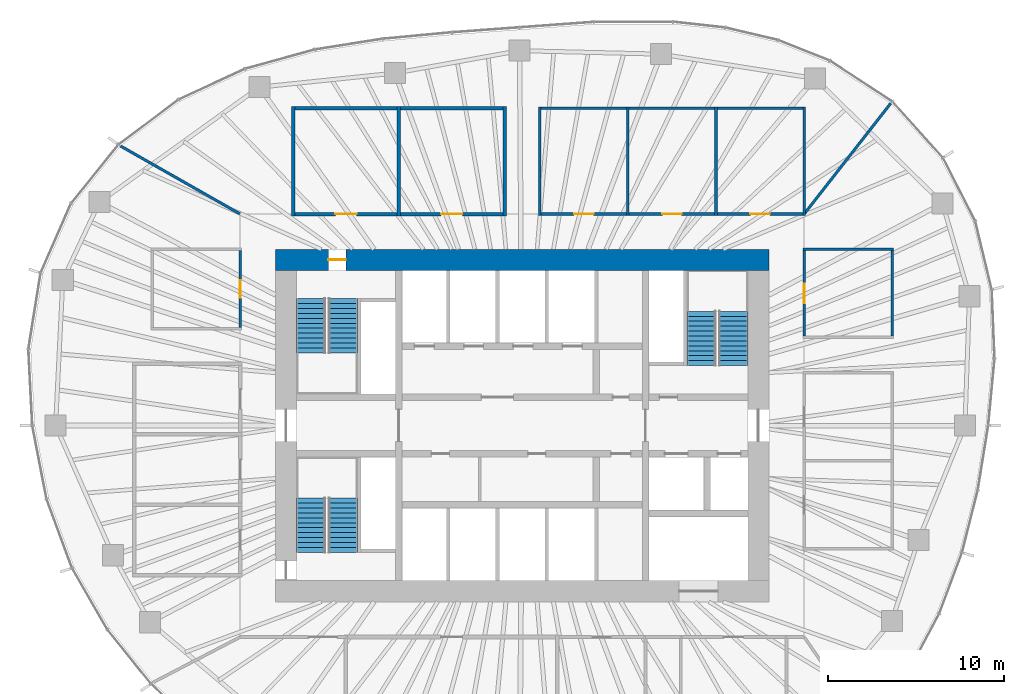
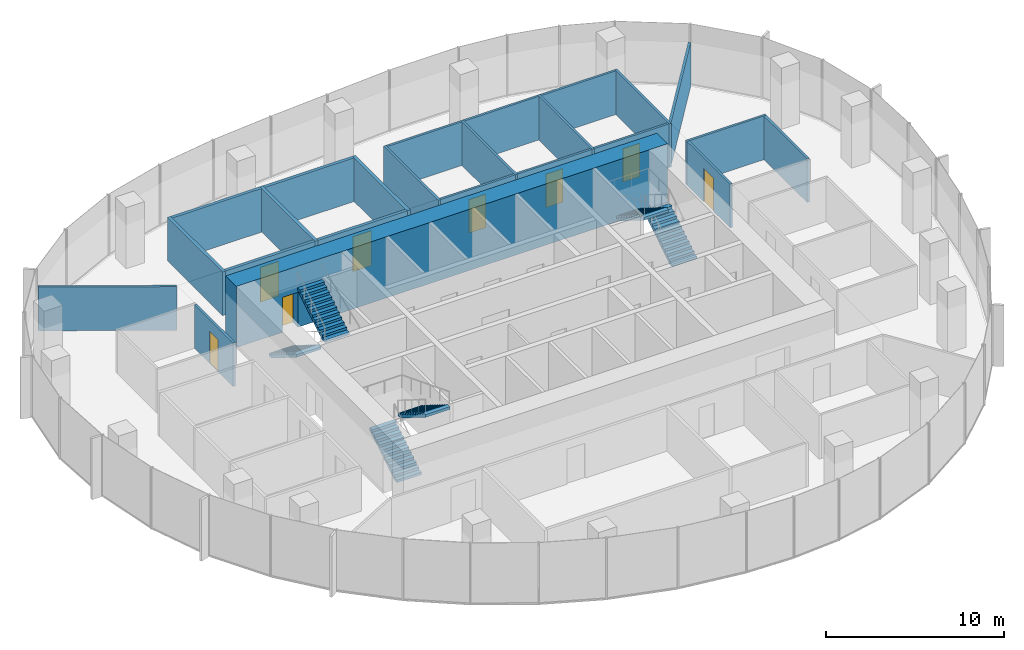
# One storey, part 10 of 11: 24 walls, 8 doors, 6 stair flights, 8 openings, 3 elements without a shape of their own.
"""IFC4 building model written with IfcOpenShell, lengths in metres."""

import ifcopenshell
import ifcopenshell.guid

model = None  # the IFC model being written
_history = None  # IfcOwnerHistory: only IFC2X3 demands one
_inside = {}  # id of a spatial element -> (the spatial element, [elements in it])
_under = {}  # id of a project, library or spatial element -> (it, [spatial elements below it])
_declared = {}  # id of a project -> (the project, [libraries it declares])
_typed = {}  # id of a type object -> (the type object, [elements of that type])
_made_of = {}  # id of a material, layer set ... -> (it, [elements and type objects made of it])


def new_model(schema):
    """Start an empty IFC model of exactly this schema.

    Asked for "IFC4X3", IfcOpenShell would pick the latest addendum, in which some entities
    have other attributes; the version numbers below select the first issue.
    IFC2X3 requires an IfcOwnerHistory on every rooted entity: one is made here for all.
    """
    global model, _history
    if schema == "IFC4X3":
        model = ifcopenshell.file(schema_version=(4, 3, 0, 0))
    else:
        model = ifcopenshell.file(schema=schema)
    _inside.clear()
    _under.clear()
    _declared.clear()
    _typed.clear()
    _made_of.clear()
    _history = None
    if model.schema == "IFC2X3":
        org = make("IfcOrganization", Name="unknown")
        user = make(
            "IfcPersonAndOrganization",
            ThePerson=make("IfcPerson", FamilyName="unknown"),
            TheOrganization=org,
        )
        app = make(
            "IfcApplication",
            ApplicationDeveloper=org,
            Version="unknown",
            ApplicationFullName="unknown",
            ApplicationIdentifier="unknown",
        )
        _history = make(
            "IfcOwnerHistory",
            OwningUser=user,
            OwningApplication=app,
            ChangeAction="ADDED",
            CreationDate=0,
        )
    return model


def make(cls, **values):
    """One entity of the class cls with the attributes given. An attribute that is None is left unset."""
    return model.create_entity(
        cls, **{name: value for name, value in values.items() if value is not None}
    )


def rooted(cls, **values):
    """An entity with a GlobalId (a new one), such as an element, a storey or a relation."""
    return make(cls, GlobalId=ifcopenshell.guid.new(), OwnerHistory=_history, **values)


def si_unit(unit_type, name, prefix=None):
    """IfcSIUnit, for example si_unit("LENGTHUNIT", "METRE", prefix="MILLI")."""
    return make("IfcSIUnit", UnitType=unit_type, Prefix=prefix, Name=name)


def assignment(units):
    """IfcUnitAssignment: the units of a project."""
    return None if units is None else make("IfcUnitAssignment", Units=units)


def point(xyz):
    """IfcCartesianPoint."""
    return None if xyz is None else make("IfcCartesianPoint", Coordinates=xyz)


def direction(xyz):
    """IfcDirection."""
    return None if xyz is None else make("IfcDirection", DirectionRatios=xyz)


def frame(location, z_axis=None, x_axis=None):
    """IfcAxis2Placement3D, a coordinate frame: its origin and axes. An axis left out is left unset."""
    return make(
        "IfcAxis2Placement3D",
        Location=point(location),
        Axis=direction(z_axis),
        RefDirection=direction(x_axis),
    )


def frame_2d(location, x_axis=None):
    """IfcAxis2Placement2D, a coordinate frame in the plane: its origin and x axis."""
    return make(
        "IfcAxis2Placement2D", Location=point(location), RefDirection=direction(x_axis)
    )


def origin():
    """The frame at (0, 0, 0) with its axes left unset."""
    return frame((0.0, 0.0, 0.0))


def place(relative_to, where):
    """IfcLocalPlacement: puts the frame where relative to a parent placement (None: the world)."""
    return make(
        "IfcLocalPlacement", PlacementRelTo=relative_to, RelativePlacement=where
    )


def context(
    kind, dimensions, precision=None, world=None, true_north=None, identifier=None
):
    """IfcGeometricRepresentationContext, for example the 3D "Model" context."""
    return make(
        "IfcGeometricRepresentationContext",
        ContextIdentifier=identifier,
        ContextType=kind,
        CoordinateSpaceDimension=dimensions,
        Precision=precision,
        WorldCoordinateSystem=world,
        TrueNorth=true_north,
    )


def subcontext(parent, identifier, kind, view, scale=None):
    """IfcGeometricRepresentationSubContext, for example "Body" below "Model"."""
    return make(
        "IfcGeometricRepresentationSubContext",
        ContextIdentifier=identifier,
        ContextType=kind,
        ParentContext=parent,
        TargetScale=scale,
        TargetView=view,
    )


def project(units=None, contexts=None):
    """IfcProject with its units and contexts."""
    return rooted(
        "IfcProject",
        Name="project",
        RepresentationContexts=contexts,
        UnitsInContext=assignment(units),
    )


def spatial(cls, under=None, at=None, **own):
    """A site, building, storey or space (cls), placed at a placement, below another one or the project."""
    s = rooted(cls, ObjectPlacement=at, **own)
    if under is not None:
        _under.setdefault(under.id(), (under, []))[1].append(s)
    return s


def polyline(points):
    """IfcPolyline through the points."""
    return make("IfcPolyline", Points=[point(p) for p in points])


def profile(cls, at=None, kind="AREA", **sizes):
    """A parametric profile (cls). Its sizes go by their IFC names, for example OverallWidth=200.0."""
    return make(cls, ProfileType=kind, Position=at, **sizes)


def rectangle(**sizes):
    """IfcRectangleProfileDef."""
    return profile("IfcRectangleProfileDef", **sizes)


def outline(outer, holes=None, kind="AREA"):
    """IfcArbitraryClosedProfileDef: a profile drawn as a closed curve; with holes, ...WithVoids."""
    if holes is None:
        return make("IfcArbitraryClosedProfileDef", ProfileType=kind, OuterCurve=outer)
    return make(
        "IfcArbitraryProfileDefWithVoids",
        ProfileType=kind,
        OuterCurve=outer,
        InnerCurves=holes,
    )


def extrude(swept, where, along, depth):
    """IfcExtrudedAreaSolid: the profile swept, set in the frame where, extruded along a direction by depth."""
    return make(
        "IfcExtrudedAreaSolid",
        SweptArea=swept,
        Position=where,
        ExtrudedDirection=direction(along),
        Depth=depth,
    )


def shape(context_of_items, identifier, shape_type, items):
    """IfcShapeRepresentation: the items that make up one representation, for example the "Body"."""
    return make(
        "IfcShapeRepresentation",
        ContextOfItems=context_of_items,
        RepresentationIdentifier=identifier,
        RepresentationType=shape_type,
        Items=items,
    )


def material(Name=None, Category=None):
    """IfcMaterial."""
    return make("IfcMaterial", Name=Name, Category=Category)


def layer(
    of_material, thickness, ventilated=None, Name=None, Category=None, Priority=None
):
    """IfcMaterialLayer: one layer of a wall or slab, of a material (None: an air gap)."""
    return make(
        "IfcMaterialLayer",
        Material=of_material,
        LayerThickness=thickness,
        IsVentilated=ventilated,
        Name=Name,
        Category=Category,
        Priority=Priority,
    )


def layer_set(layers, Name=None):
    """IfcMaterialLayerSet."""
    return make("IfcMaterialLayerSet", MaterialLayers=layers, LayerSetName=Name)


def made_of(thing, what):
    """Note that an element or type object is made of a material, layer set ...; save() writes the relation."""
    if what is not None:
        _made_of.setdefault(what.id(), (what, []))[1].append(thing)
    return thing


def type_object(cls, material=None, **own):
    """A type object (cls), such as IfcWallType, which elements share."""
    return made_of(rooted(cls, **own), material)


def element(
    cls,
    number,
    at=None,
    inside=None,
    cuts=None,
    type_object=None,
    material=None,
    context=None,
    identifier="Body",
    shape_type=None,
    held_by="IfcProductDefinitionShape",
    body=None,
    shapes=None,
    **own,
):
    """One element of the class cls, such as IfcWall. Its Tag is "e" and its number.

    at: its placement. inside: the storey or other place that contains it. cuts: it is an
    opening in that element (IfcRelVoidsElement). A single representation is given by context,
    identifier, shape_type and body (its items); several are given by shapes. held_by: the class
    of the entity that holds the representations. save() writes the other relations.
    """
    e = rooted(cls, Tag="e%d" % number, ObjectPlacement=at, **own)
    if body is not None:
        shapes = [shape(context, identifier, shape_type, body)]
    if shapes is not None:
        e.Representation = make(held_by, Representations=shapes)
    if inside is not None:
        _inside.setdefault(inside.id(), (inside, []))[1].append(e)
    if cuts is not None:
        rooted(
            "IfcRelVoidsElement", RelatingBuildingElement=cuts, RelatedOpeningElement=e
        )
    if type_object is not None:
        _typed.setdefault(type_object.id(), (type_object, []))[1].append(e)
    return made_of(e, material)


def fill(opening, filler):
    """IfcRelFillsElement: the door or window that sits in an opening."""
    return rooted(
        "IfcRelFillsElement",
        RelatingOpeningElement=opening,
        RelatedBuildingElement=filler,
    )


def aggregate(whole, parts):
    """IfcRelAggregates: a whole, such as a stair, and the parts it consists of."""
    return rooted("IfcRelAggregates", RelatingObject=whole, RelatedObjects=parts)


def save(model, path):
    """Write the relations noted so far, then the file.

    IfcRelAggregates (storeys below a building ...), IfcRelContainedInSpatialStructure (elements
    in a storey), IfcRelDefinesByType, IfcRelAssociatesMaterial and IfcRelDeclares: one each for
    every whole, place, type object, material and project.
    """
    for whole, parts in _under.values():
        aggregate(whole, parts)
    for where, things in _inside.values():
        rooted(
            "IfcRelContainedInSpatialStructure",
            RelatedElements=things,
            RelatingStructure=where,
        )
    for kind, things in _typed.values():
        rooted("IfcRelDefinesByType", RelatedObjects=things, RelatingType=kind)
    for what, things in _made_of.values():
        rooted("IfcRelAssociatesMaterial", RelatedObjects=things, RelatingMaterial=what)
    for by, libraries in _declared.values():
        rooted("IfcRelDeclares", RelatingContext=by, RelatedDefinitions=libraries)
    model.write(path)


model = new_model("IFC4")

# Units and contexts
model_context = context("Model", 3, precision=1e-05, world=origin(), true_north=direction((0.0, 1.0)))
body_context = subcontext(model_context, "Body", "Model", "MODEL_VIEW")
ifc_project = project(units=[si_unit("LENGTHUNIT", "METRE"), si_unit("AREAUNIT", "SQUARE_METRE"), si_unit("VOLUMEUNIT", "CUBIC_METRE"), si_unit("PLANEANGLEUNIT", "RADIAN"), si_unit("MASSUNIT", "GRAM", prefix="KILO")], contexts=[model_context])

# Site, building, storey
site_placement = place(None, origin())
site = spatial("IfcSite", under=ifc_project, at=site_placement, CompositionType="ELEMENT")
building_placement = place(site_placement, origin())
building = spatial("IfcBuilding", under=site, at=building_placement, Name="Ghaith Harvest Tower", CompositionType="ELEMENT")
storey_placement = place(building_placement, frame((0.0, 0.0, 245.199951171875)))
storey = spatial("IfcBuildingStorey", under=building, at=storey_placement, Name="L54", CompositionType="ELEMENT", Elevation=245.199951171875)

# Walls
ifc_material_1 = material(Name="Twin-stud gypsum board, acoustic", Category="gypsum")
ifc_layer_1 = layer(ifc_material_1, 0.199951171875)
ifc_layer_set_1 = layer_set([ifc_layer_1], Name="ACOUSTIC PARTITION 200")
wall_type_1 = type_object("IfcWallType", Name="ACOUSTIC PARTITION 200", PredefinedType="PARTITIONING", material=ifc_layer_set_1)
for number, where, z_axis, x_axis, name in (
    (1, (-13.0, 11.89990234375, 0.0), (0.0, 0.0, 1.0), (0.0, 1.0, 0.0), "Partition L54 row N3 cross wall 1"),
    (2, (-7.0, 11.89990234375, 0.0), (0.0, 0.0, 1.0), (0.0, 1.0, 0.0), "Partition L54 row N3 cross wall 2"),
    (3, (-1.0, 11.89990234375, 0.0), (0.0, 0.0, 1.0), (0.0, 1.0, 0.0), "Partition L54 row N3 cross wall 3"),
):
    element("IfcWall", number, at=place(storey_placement, frame(where, z_axis=z_axis, x_axis=x_axis)), inside=storey, type_object=wall_type_1, Name=name, PredefinedType="PARTITIONING", context=body_context, shape_type="SweptSolid", body=[
        extrude(rectangle(XDim=6.2001953125, YDim=0.199951171875, at=frame_2d((3.10009765625, 0.0))), origin(), (0.0, 0.0, 1.0), 3.0),
    ])

# Wall, opening, door
wall_1_placement = place(storey_placement, frame((-12.89990234375, 12.0, 0.0), z_axis=(0.0, 0.0, 1.0), x_axis=(1.0, 0.0, 0.0)))
wall_1 = element("IfcWall", 4, at=wall_1_placement, inside=storey, type_object=wall_type_1, Name="Partition L54-06", PredefinedType="PARTITIONING", context=body_context, shape_type="SweptSolid", body=[
    extrude(rectangle(XDim=5.7998046875, YDim=0.199951171875, at=frame_2d((2.89990234375, 0.0))), origin(), (0.0, 0.0, 1.0), 3.0),
])
opening_1_placement = place(wall_1_placement, frame((2.300048828125, 0.0, 0.0)))
opening_1 = element("IfcOpeningElement", 5, at=opening_1_placement, cuts=wall_1, Name="Opening 54-025", PredefinedType="OPENING", context=body_context, shape_type="SweptSolid", body=[
    extrude(rectangle(XDim=1.199951171875, YDim=2.39990234375, at=frame_2d((0.60009765625, 1.199951171875))), frame((0.0, 0.10986328125, 0.0), z_axis=(0.0, -1.0, 0.0), x_axis=(1.0, 0.0, 0.0)), (0.0, 0.0, 1.0), 0.219970703125),
])
ifc_material_2 = material(Name="Timber door", Category="wood")
door_type_1 = type_object("IfcDoorType", Name="D11 GLAZED 1200x2400", OperationType="SINGLE_SWING_LEFT", PredefinedType="DOOR", material=ifc_material_2)
door_1_placement = place(opening_1_placement, origin())
door_1 = element("IfcDoor", 6, at=door_1_placement, inside=storey, type_object=door_type_1, Name="Meeting room door", OperationType="SINGLE_SWING_LEFT", OverallHeight=2.39990234375, OverallWidth=1.199951171875, PredefinedType="DOOR", context=body_context, shape_type="SweptSolid", body=[
    extrude(rectangle(XDim=1.199951171875, YDim=2.39990234375, at=frame_2d((0.60009765625, 1.199951171875))), frame((0.0, 0.02490234375, 0.0), z_axis=(0.0, -1.0, 0.0), x_axis=(1.0, 0.0, 0.0)), (0.0, 0.0, 1.0), 0.050048828125),
])
fill(opening_1, door_1)

# Wall
wall_2_placement = place(storey_placement, frame((-12.89990234375, 18.0, 0.0), z_axis=(0.0, 0.0, 1.0), x_axis=(1.0, 0.0, 0.0)))
element("IfcWall", 7, at=wall_2_placement, inside=storey, type_object=wall_type_1, Name="Partition L54-06", PredefinedType="PARTITIONING", context=body_context, shape_type="SweptSolid", body=[
    extrude(rectangle(XDim=5.7998046875, YDim=0.199951171875, at=frame_2d((2.89990234375, 0.0))), origin(), (0.0, 0.0, 1.0), 3.0),
])

# Wall, opening, door
wall_3_placement = place(storey_placement, frame((-6.89990234375, 12.0, 0.0), z_axis=(0.0, 0.0, 1.0), x_axis=(1.0, 0.0, 0.0)))
wall_3 = element("IfcWall", 8, at=wall_3_placement, inside=storey, type_object=wall_type_1, Name="Partition L54-07", PredefinedType="PARTITIONING", context=body_context, shape_type="SweptSolid", body=[
    extrude(rectangle(XDim=5.7998046875, YDim=0.199951171875, at=frame_2d((2.89990234375, 0.0))), origin(), (0.0, 0.0, 1.0), 3.0),
])
opening_2_placement = place(wall_3_placement, frame((2.300048828125, 0.0, 0.0)))
opening_2 = element("IfcOpeningElement", 9, at=opening_2_placement, cuts=wall_3, Name="Opening 54-026", PredefinedType="OPENING", context=body_context, shape_type="SweptSolid", body=[
    extrude(rectangle(XDim=1.199951171875, YDim=2.39990234375, at=frame_2d((0.60009765625, 1.199951171875))), frame((0.0, 0.10986328125, 0.0), z_axis=(0.0, -1.0, 0.0), x_axis=(1.0, 0.0, 0.0)), (0.0, 0.0, 1.0), 0.219970703125),
])
door_2_placement = place(opening_2_placement, origin())
door_2 = element("IfcDoor", 10, at=door_2_placement, inside=storey, type_object=door_type_1, Name="Meeting room door", OperationType="SINGLE_SWING_LEFT", OverallHeight=2.39990234375, OverallWidth=1.199951171875, PredefinedType="DOOR", context=body_context, shape_type="SweptSolid", body=[
    extrude(rectangle(XDim=1.199951171875, YDim=2.39990234375, at=frame_2d((0.60009765625, 1.199951171875))), frame((0.0, 0.02490234375, 0.0), z_axis=(0.0, -1.0, 0.0), x_axis=(1.0, 0.0, 0.0)), (0.0, 0.0, 1.0), 0.050048828125),
])
fill(opening_2, door_2)

# Wall
wall_4_placement = place(storey_placement, frame((-6.89990234375, 18.0, 0.0), z_axis=(0.0, 0.0, 1.0), x_axis=(1.0, 0.0, 0.0)))
element("IfcWall", 11, at=wall_4_placement, inside=storey, type_object=wall_type_1, Name="Partition L54-07", PredefinedType="PARTITIONING", context=body_context, shape_type="SweptSolid", body=[
    extrude(rectangle(XDim=5.7998046875, YDim=0.199951171875, at=frame_2d((2.89990234375, 0.0))), origin(), (0.0, 0.0, 1.0), 3.0),
])

# Wall, opening, door
ifc_material_3 = material(Name="Concrete C60/75", Category="concrete")
ifc_layer_2 = layer(ifc_material_3, 1.199951171875)
ifc_layer_set_2 = layer_set([ifc_layer_2], Name="CORE WALL CW1200 C60")
wall_type_2 = type_object("IfcWallType", Name="CORE WALL CW1200 C60", PredefinedType="SHEAR", material=ifc_layer_set_2)
wall_5_placement = place(storey_placement, frame((14.0, 9.39990234375, 0.0), z_axis=(0.0, 0.0, 1.0), x_axis=(-1.0, 0.0, 0.0)))
wall_5 = element("IfcWall", 12, at=wall_5_placement, inside=storey, type_object=wall_type_2, Name="Core wall N L54", PredefinedType="SHEAR", context=body_context, shape_type="SweptSolid", body=[
    extrude(rectangle(XDim=28.0, YDim=1.199951171875, at=frame_2d((14.0, 0.0))), origin(), (0.0, 0.0, 1.0), 4.199951171875),
])
opening_3_placement = place(wall_5_placement, frame((24.0, 0.0, 0.0)))
opening_3 = element("IfcOpeningElement", 13, at=opening_3_placement, cuts=wall_5, Name="Opening 54-005", PredefinedType="OPENING", context=body_context, shape_type="SweptSolid", body=[
    extrude(rectangle(XDim=1.0, YDim=2.39990234375, at=frame_2d((0.5, 1.199951171875))), frame((0.0, 0.60986328125, 0.0), z_axis=(0.0, -1.0, 0.0), x_axis=(1.0, 0.0, 0.0)), (0.0, 0.0, 1.0), 1.219970703125),
])
ifc_material_4 = material(Name="Steel fire door", Category="steel")
door_type_2 = type_object("IfcDoorType", Name="D3 FD90 1000x2400", OperationType="SINGLE_SWING_LEFT", PredefinedType="DOOR", material=ifc_material_4)
door_3_placement = place(opening_3_placement, origin())
door_3 = element("IfcDoor", 14, at=door_3_placement, inside=storey, type_object=door_type_2, Name="Stair ST1 door", OperationType="SINGLE_SWING_RIGHT", OverallHeight=2.39990234375, OverallWidth=1.0, PredefinedType="DOOR", context=body_context, shape_type="SweptSolid", body=[
    extrude(rectangle(XDim=1.0, YDim=2.39990234375, at=frame_2d((0.5, 1.199951171875))), frame((0.0, 0.02490234375, 0.0), z_axis=(0.0, -1.0, 0.0), x_axis=(1.0, 0.0, 0.0)), (0.0, 0.0, 1.0), 0.050048828125),
])
fill(opening_3, door_3)

# Walls
ifc_material_5 = material(Name="Gypsum board on steel studs", Category="steel")
ifc_layer_3 = layer(ifc_material_5, 0.14990234375)
ifc_layer_set_3 = layer_set([ifc_layer_3], Name="PARTITION 150")
wall_type_3 = type_object("IfcWallType", Name="PARTITION 150", PredefinedType="PARTITIONING", material=ifc_layer_set_3)
for number, where, z_axis, x_axis, name in (
    (15, (1.0, 11.925048828125, 0.0), (0.0, 0.0, 1.0), (0.0, 1.0, 0.0), "Partition L54 row N4 cross wall 1"),
    (16, (6.0, 11.925048828125, 0.0), (0.0, 0.0, 1.0), (0.0, 1.0, 0.0), "Partition L54 row N4 cross wall 2"),
    (17, (11.0, 11.925048828125, 0.0), (0.0, 0.0, 1.0), (0.0, 1.0, 0.0), "Partition L54 row N4 cross wall 3"),
    (18, (16.0, 11.925048828125, 0.0), (0.0, 0.0, 1.0), (0.0, 1.0, 0.0), "Partition L54 row N4 cross wall 4"),
):
    element("IfcWall", number, at=place(storey_placement, frame(where, z_axis=z_axis, x_axis=x_axis)), inside=storey, type_object=wall_type_3, Name=name, PredefinedType="PARTITIONING", context=body_context, shape_type="SweptSolid", body=[
        extrude(rectangle(XDim=6.14990234375, YDim=0.14990234375, at=frame_2d((3.074951171875, 0.0))), origin(), (0.0, 0.0, 1.0), 3.0),
    ])

# Wall, opening, door
wall_6_placement = place(storey_placement, frame((1.074951171875, 12.0, 0.0), z_axis=(0.0, 0.0, 1.0), x_axis=(1.0, 0.0, 0.0)))
wall_6 = element("IfcWall", 19, at=wall_6_placement, inside=storey, type_object=wall_type_3, Name="Partition L54-08", PredefinedType="PARTITIONING", context=body_context, shape_type="SweptSolid", body=[
    extrude(rectangle(XDim=4.85009765625, YDim=0.14990234375, at=frame_2d((2.425048828125, 0.0))), origin(), (0.0, 0.0, 1.0), 3.0),
])
opening_4_placement = place(wall_6_placement, frame((1.875, 0.0, 0.0)))
opening_4 = element("IfcOpeningElement", 20, at=opening_4_placement, cuts=wall_6, Name="Opening 54-027", PredefinedType="OPENING", context=body_context, shape_type="SweptSolid", body=[
    extrude(rectangle(XDim=1.10009765625, YDim=2.300048828125, at=frame_2d((0.550048828125, 1.14990234375))), frame((0.0, 0.0849609375, 0.0), z_axis=(0.0, -1.0, 0.0), x_axis=(1.0, 0.0, 0.0)), (0.0, 0.0, 1.0), 0.169921875),
])
ifc_material_6 = material(Name="Timber-framed glazed door", Category="wood")
door_type_3 = type_object("IfcDoorType", Name="D12 GLAZED OFFICE 1100x2300", OperationType="SINGLE_SWING_LEFT", PredefinedType="DOOR", material=ifc_material_6)
door_4_placement = place(opening_4_placement, origin())
door_4 = element("IfcDoor", 21, at=door_4_placement, inside=storey, type_object=door_type_3, Name="Office door", OperationType="SINGLE_SWING_LEFT", OverallHeight=2.300048828125, OverallWidth=1.10009765625, PredefinedType="DOOR", context=body_context, shape_type="SweptSolid", body=[
    extrude(rectangle(XDim=1.10009765625, YDim=2.300048828125, at=frame_2d((0.550048828125, 1.14990234375))), frame((0.0, 0.02490234375, 0.0), z_axis=(0.0, -1.0, 0.0), x_axis=(1.0, 0.0, 0.0)), (0.0, 0.0, 1.0), 0.050048828125),
])
fill(opening_4, door_4)

# Wall
wall_7_placement = place(storey_placement, frame((1.074951171875, 18.0, 0.0), z_axis=(0.0, 0.0, 1.0), x_axis=(1.0, 0.0, 0.0)))
element("IfcWall", 22, at=wall_7_placement, inside=storey, type_object=wall_type_3, Name="Partition L54-08", PredefinedType="PARTITIONING", context=body_context, shape_type="SweptSolid", body=[
    extrude(rectangle(XDim=4.85009765625, YDim=0.14990234375, at=frame_2d((2.425048828125, 0.0))), origin(), (0.0, 0.0, 1.0), 3.0),
])

# Wall, opening, door
wall_8_placement = place(storey_placement, frame((6.074951171875, 12.0, 0.0), z_axis=(0.0, 0.0, 1.0), x_axis=(1.0, 0.0, 0.0)))
wall_8 = element("IfcWall", 23, at=wall_8_placement, inside=storey, type_object=wall_type_3, Name="Partition L54-09", PredefinedType="PARTITIONING", context=body_context, shape_type="SweptSolid", body=[
    extrude(rectangle(XDim=4.85009765625, YDim=0.14990234375, at=frame_2d((2.425048828125, 0.0))), origin(), (0.0, 0.0, 1.0), 3.0),
])
opening_5_placement = place(wall_8_placement, frame((1.875, 0.0, 0.0)))
opening_5 = element("IfcOpeningElement", 24, at=opening_5_placement, cuts=wall_8, Name="Opening 54-028", PredefinedType="OPENING", context=body_context, shape_type="SweptSolid", body=[
    extrude(rectangle(XDim=1.10009765625, YDim=2.300048828125, at=frame_2d((0.550048828125, 1.14990234375))), frame((0.0, 0.0849609375, 0.0), z_axis=(0.0, -1.0, 0.0), x_axis=(1.0, 0.0, 0.0)), (0.0, 0.0, 1.0), 0.169921875),
])
door_5_placement = place(opening_5_placement, origin())
door_5 = element("IfcDoor", 25, at=door_5_placement, inside=storey, type_object=door_type_3, Name="Office door", OperationType="SINGLE_SWING_LEFT", OverallHeight=2.300048828125, OverallWidth=1.10009765625, PredefinedType="DOOR", context=body_context, shape_type="SweptSolid", body=[
    extrude(rectangle(XDim=1.10009765625, YDim=2.300048828125, at=frame_2d((0.550048828125, 1.14990234375))), frame((0.0, 0.02490234375, 0.0), z_axis=(0.0, -1.0, 0.0), x_axis=(1.0, 0.0, 0.0)), (0.0, 0.0, 1.0), 0.050048828125),
])
fill(opening_5, door_5)

# Wall
wall_9_placement = place(storey_placement, frame((6.074951171875, 18.0, 0.0), z_axis=(0.0, 0.0, 1.0), x_axis=(1.0, 0.0, 0.0)))
element("IfcWall", 26, at=wall_9_placement, inside=storey, type_object=wall_type_3, Name="Partition L54-09", PredefinedType="PARTITIONING", context=body_context, shape_type="SweptSolid", body=[
    extrude(rectangle(XDim=4.85009765625, YDim=0.14990234375, at=frame_2d((2.425048828125, 0.0))), origin(), (0.0, 0.0, 1.0), 3.0),
])

# Wall, opening, door
wall_10_placement = place(storey_placement, frame((11.074951171875, 12.0, 0.0), z_axis=(0.0, 0.0, 1.0), x_axis=(1.0, 0.0, 0.0)))
wall_10 = element("IfcWall", 27, at=wall_10_placement, inside=storey, type_object=wall_type_3, Name="Partition L54-10", PredefinedType="PARTITIONING", context=body_context, shape_type="SweptSolid", body=[
    extrude(rectangle(XDim=4.85009765625, YDim=0.14990234375, at=frame_2d((2.425048828125, 0.0))), origin(), (0.0, 0.0, 1.0), 3.0),
])
opening_6_placement = place(wall_10_placement, frame((1.875, 0.0, 0.0)))
opening_6 = element("IfcOpeningElement", 28, at=opening_6_placement, cuts=wall_10, Name="Opening 54-029", PredefinedType="OPENING", context=body_context, shape_type="SweptSolid", body=[
    extrude(rectangle(XDim=1.10009765625, YDim=2.300048828125, at=frame_2d((0.550048828125, 1.14990234375))), frame((0.0, 0.0849609375, 0.0), z_axis=(0.0, -1.0, 0.0), x_axis=(1.0, 0.0, 0.0)), (0.0, 0.0, 1.0), 0.169921875),
])
door_6_placement = place(opening_6_placement, origin())
door_6 = element("IfcDoor", 29, at=door_6_placement, inside=storey, type_object=door_type_3, Name="Office door", OperationType="SINGLE_SWING_LEFT", OverallHeight=2.300048828125, OverallWidth=1.10009765625, PredefinedType="DOOR", context=body_context, shape_type="SweptSolid", body=[
    extrude(rectangle(XDim=1.10009765625, YDim=2.300048828125, at=frame_2d((0.550048828125, 1.14990234375))), frame((0.0, 0.02490234375, 0.0), z_axis=(0.0, -1.0, 0.0), x_axis=(1.0, 0.0, 0.0)), (0.0, 0.0, 1.0), 0.050048828125),
])
fill(opening_6, door_6)

# Walls
wall_11_placement = place(storey_placement, frame((11.074951171875, 18.0, 0.0), z_axis=(0.0, 0.0, 1.0), x_axis=(1.0, 0.0, 0.0)))
element("IfcWall", 30, at=wall_11_placement, inside=storey, type_object=wall_type_3, Name="Partition L54-10", PredefinedType="PARTITIONING", context=body_context, shape_type="SweptSolid", body=[
    extrude(rectangle(XDim=4.85009765625, YDim=0.14990234375, at=frame_2d((2.425048828125, 0.0))), origin(), (0.0, 0.0, 1.0), 3.0),
])
wall_12_placement = place(storey_placement, frame((15.925048828125, 10.0, 0.0), z_axis=(0.0, 0.0, 1.0), x_axis=(1.0, 0.0, 0.0)))
element("IfcWall", 31, at=wall_12_placement, inside=storey, type_object=wall_type_3, Name="Partition L54 row E7 cross wall 2", PredefinedType="PARTITIONING", context=body_context, shape_type="SweptSolid", body=[
    extrude(rectangle(XDim=5.14990234375, YDim=0.14990234375, at=frame_2d((2.574951171875, 0.0))), origin(), (0.0, 0.0, 1.0), 3.0),
])

# Wall, opening, door
wall_13_placement = place(storey_placement, frame((16.0, 5.074951171875, 0.0), z_axis=(0.0, 0.0, 1.0), x_axis=(0.0, 1.0, 0.0)))
wall_13 = element("IfcWall", 32, at=wall_13_placement, inside=storey, type_object=wall_type_3, Name="Partition L54-14", PredefinedType="PARTITIONING", context=body_context, shape_type="SweptSolid", body=[
    extrude(rectangle(XDim=4.85009765625, YDim=0.14990234375, at=frame_2d((2.425048828125, 0.0))), origin(), (0.0, 0.0, 1.0), 3.0),
])
opening_7_placement = place(wall_13_placement, frame((1.875, 0.0, 0.0)))
opening_7 = element("IfcOpeningElement", 33, at=opening_7_placement, cuts=wall_13, Name="Opening 54-033", PredefinedType="OPENING", context=body_context, shape_type="SweptSolid", body=[
    extrude(rectangle(XDim=1.10009765625, YDim=2.300048828125, at=frame_2d((0.550048828125, 1.14990234375))), frame((0.0, 0.0849609375, 0.0), z_axis=(0.0, -1.0, 0.0), x_axis=(1.0, 0.0, 0.0)), (0.0, 0.0, 1.0), 0.169921875),
])
door_7_placement = place(opening_7_placement, origin())
door_7 = element("IfcDoor", 34, at=door_7_placement, inside=storey, type_object=door_type_3, Name="Office door", OperationType="SINGLE_SWING_LEFT", OverallHeight=2.300048828125, OverallWidth=1.10009765625, PredefinedType="DOOR", context=body_context, shape_type="SweptSolid", body=[
    extrude(rectangle(XDim=1.10009765625, YDim=2.300048828125, at=frame_2d((0.550048828125, 1.14990234375))), frame((0.0, 0.02490234375, 0.0), z_axis=(0.0, -1.0, 0.0), x_axis=(1.0, 0.0, 0.0)), (0.0, 0.0, 1.0), 0.050048828125),
])
fill(opening_7, door_7)

# Wall
wall_14_placement = place(storey_placement, frame((21.0, 5.074951171875, 0.0), z_axis=(0.0, 0.0, 1.0), x_axis=(0.0, 1.0, 0.0)))
element("IfcWall", 35, at=wall_14_placement, inside=storey, type_object=wall_type_3, Name="Partition L54-14", PredefinedType="PARTITIONING", context=body_context, shape_type="SweptSolid", body=[
    extrude(rectangle(XDim=4.85009765625, YDim=0.14990234375, at=frame_2d((2.425048828125, 0.0))), origin(), (0.0, 0.0, 1.0), 3.0),
])

# Wall, opening, door
wall_15_placement = place(storey_placement, frame((-16.0, 5.574951171875, 0.0), z_axis=(0.0, 0.0, 1.0), x_axis=(0.0, 1.0, 0.0)))
wall_15 = element("IfcWall", 36, at=wall_15_placement, inside=storey, type_object=wall_type_3, Name="Partition L54-15", PredefinedType="PARTITIONING", context=body_context, shape_type="SweptSolid", body=[
    extrude(rectangle(XDim=4.35009765625, YDim=0.14990234375, at=frame_2d((2.175048828125, 0.0))), origin(), (0.0, 0.0, 1.0), 3.0),
])
opening_8_placement = place(wall_15_placement, frame((1.675048828125, 0.0, 0.0)))
opening_8 = element("IfcOpeningElement", 37, at=opening_8_placement, cuts=wall_15, Name="Opening 54-034", PredefinedType="OPENING", context=body_context, shape_type="SweptSolid", body=[
    extrude(rectangle(XDim=1.0, YDim=2.199951171875, at=frame_2d((0.5, 1.10009765625))), frame((0.0, 0.0849609375, 0.0), z_axis=(0.0, -1.0, 0.0), x_axis=(1.0, 0.0, 0.0)), (0.0, 0.0, 1.0), 0.169921875),
])
ifc_material_7 = material(Name="Timber door", Category="wood")
door_type_4 = type_object("IfcDoorType", Name="D1 SINGLE 1000x2200", OperationType="SINGLE_SWING_LEFT", PredefinedType="DOOR", material=ifc_material_7)
door_8_placement = place(opening_8_placement, origin())
door_8 = element("IfcDoor", 38, at=door_8_placement, inside=storey, type_object=door_type_4, Name="Store door", OperationType="SINGLE_SWING_LEFT", OverallHeight=2.199951171875, OverallWidth=1.0, PredefinedType="DOOR", context=body_context, shape_type="SweptSolid", body=[
    extrude(rectangle(XDim=1.0, YDim=2.199951171875, at=frame_2d((0.5, 1.10009765625))), frame((0.0, 0.02490234375, 0.0), z_axis=(0.0, -1.0, 0.0), x_axis=(1.0, 0.0, 0.0)), (0.0, 0.0, 1.0), 0.050048828125),
])
fill(opening_8, door_8)

# Walls
wall_16_placement = place(storey_placement, frame((-16.017333984375, 12.010009765625, 0.0), z_axis=(0.0, 0.0, 1.0), x_axis=(-0.869357432803, 0.494183826151, 0.0)))
element("IfcWall", 39, at=wall_16_placement, inside=storey, type_object=wall_type_3, Name="Partition L54 zone division", PredefinedType="PARTITIONING", context=body_context, shape_type="SweptSolid", body=[
    extrude(rectangle(XDim=7.791259765625, YDim=0.14990234375, at=frame_2d((3.8955078125, 0.0))), origin(), (0.0, 0.0, 1.0), 3.0),
])
wall_17_placement = place(storey_placement, frame((16.02001953125, 12.025634765625, 0.0), z_axis=(0.0, 0.0, 1.0), x_axis=(0.616031272047, 0.787721696959, 0.0)))
element("IfcWall", 40, at=wall_17_placement, inside=storey, type_object=wall_type_3, Name="Partition L54 zone division", PredefinedType="PARTITIONING", context=body_context, shape_type="SweptSolid", body=[
    extrude(rectangle(XDim=7.93896484375, YDim=0.14990234375, at=frame_2d((3.969482421875, 0.0))), origin(), (0.0, 0.0, 1.0), 3.0),
])

# Stair, stair flights
ifc_material_8 = material(Name="Concrete C40/50, precast", Category="concrete")
stair_type = type_object("IfcStairType", Name="CORE STAIR 24R", PredefinedType="HALF_TURN_STAIR", material=ifc_material_8)
stair_1_placement = place(storey_placement, origin())
stair_1 = element("IfcStair", 41, at=stair_1_placement, inside=storey, type_object=stair_type, Name="Stair ST1 L54", PredefinedType="HALF_TURN_STAIR")
ifc_material_9 = material(Name="Concrete C40/50, precast", Category="concrete")
stair_flight_type = type_object("IfcStairFlightType", Name="CORE FLIGHT 12R 1600", PredefinedType="STRAIGHT", material=ifc_material_9)
stair_flight_1_placement = place(storey_placement, frame((-12.0, 7.199951171875, 0.0), z_axis=(0.0, 0.0, 1.0), x_axis=(0.0, -1.0, 0.0)))
stair_flight_1 = element("IfcStairFlight", 42, at=stair_flight_1_placement, type_object=stair_flight_type, Name="ST1 flight 1", NumberOfRisers=12, NumberOfTreads=11, PredefinedType="STRAIGHT", RiserHeight=0.175, TreadLength=0.28, context=body_context, shape_type="SweptSolid", body=[
    extrude(outline(polyline([(0.0, 0.0), (0.0, 0.175048828125), (0.280029296875, 0.175048828125), (0.280029296875, 0.35009765625), (0.56005859375, 0.35009765625), (0.56005859375, 0.52490234375), (0.840087890625, 0.52490234375), (0.840087890625, 0.699951171875), (1.1201171875, 0.699951171875), (1.1201171875, 0.875), (1.39990234375, 0.875), (1.39990234375, 1.050048828125), (1.679931640625, 1.050048828125), (1.679931640625, 1.22509765625), (1.9599609375, 1.22509765625), (1.9599609375, 1.39990234375), (2.239990234375, 1.39990234375), (2.239990234375, 1.574951171875), (2.52001953125, 1.574951171875), (2.52001953125, 1.75), (2.800048828125, 1.75), (2.800048828125, 1.925048828125), (3.080078125, 1.925048828125), (3.080078125, 2.10009765625), (3.080078125, 1.748291015625), (0.28271484375, 0.0), (0.0, 0.0)])), frame((0.0, 0.800048828125, 0.0), z_axis=(0.0, -1.0, 0.0), x_axis=(1.0, 0.0, 0.0)), (0.0, 0.0, 1.0), 1.60009765625),
])
stair_flight_2_placement = place(storey_placement, frame((-10.14990234375, 4.1201171875, 2.10009765625), z_axis=(0.0, 0.0, 1.0), x_axis=(0.0, 1.0, 0.0)))
stair_flight_2 = element("IfcStairFlight", 43, at=stair_flight_2_placement, type_object=stair_flight_type, Name="ST1 flight 2", NumberOfRisers=12, NumberOfTreads=11, PredefinedType="STRAIGHT", RiserHeight=0.175, TreadLength=0.28, context=body_context, shape_type="SweptSolid", body=[
    extrude(outline(polyline([(0.0, 0.0), (0.0, 0.175048828125), (0.280029296875, 0.175048828125), (0.280029296875, 0.35009765625), (0.56005859375, 0.35009765625), (0.56005859375, 0.52490234375), (0.840087890625, 0.52490234375), (0.840087890625, 0.699951171875), (1.1201171875, 0.699951171875), (1.1201171875, 0.875), (1.39990234375, 0.875), (1.39990234375, 1.050048828125), (1.679931640625, 1.050048828125), (1.679931640625, 1.22509765625), (1.9599609375, 1.22509765625), (1.9599609375, 1.39990234375), (2.239990234375, 1.39990234375), (2.239990234375, 1.574951171875), (2.52001953125, 1.574951171875), (2.52001953125, 1.75), (2.800048828125, 1.75), (2.800048828125, 1.925048828125), (3.080078125, 1.925048828125), (3.080078125, 2.10009765625), (3.080078125, 1.748291015625), (0.28271484375, 0.0), (0.0, 0.0)])), frame((0.0, 0.800048828125, 0.0), z_axis=(0.0, -1.0, 0.0), x_axis=(1.0, 0.0, 0.0)), (0.0, 0.0, 1.0), 1.60009765625),
])
aggregate(stair_1, [stair_flight_1, stair_flight_2])

stair_2_placement = place(storey_placement, origin())
stair_2 = element("IfcStair", 44, at=stair_2_placement, inside=storey, type_object=stair_type, Name="Stair ST3 L54", PredefinedType="HALF_TURN_STAIR")
stair_flight_3_placement = place(storey_placement, frame((-12.0, -7.199951171875, 0.0), z_axis=(0.0, 0.0, 1.0), x_axis=(0.0, 1.0, 0.0)))
stair_flight_3 = element("IfcStairFlight", 45, at=stair_flight_3_placement, type_object=stair_flight_type, Name="ST3 flight 1", NumberOfRisers=12, NumberOfTreads=11, PredefinedType="STRAIGHT", RiserHeight=0.175, TreadLength=0.28, context=body_context, shape_type="SweptSolid", body=[
    extrude(outline(polyline([(0.0, 0.0), (0.0, 0.175048828125), (0.280029296875, 0.175048828125), (0.280029296875, 0.35009765625), (0.56005859375, 0.35009765625), (0.56005859375, 0.52490234375), (0.840087890625, 0.52490234375), (0.840087890625, 0.699951171875), (1.1201171875, 0.699951171875), (1.1201171875, 0.875), (1.39990234375, 0.875), (1.39990234375, 1.050048828125), (1.679931640625, 1.050048828125), (1.679931640625, 1.22509765625), (1.9599609375, 1.22509765625), (1.9599609375, 1.39990234375), (2.239990234375, 1.39990234375), (2.239990234375, 1.574951171875), (2.52001953125, 1.574951171875), (2.52001953125, 1.75), (2.800048828125, 1.75), (2.800048828125, 1.925048828125), (3.080078125, 1.925048828125), (3.080078125, 2.10009765625), (3.080078125, 1.748291015625), (0.28271484375, 0.0), (0.0, 0.0)])), frame((0.0, 0.800048828125, 0.0), z_axis=(0.0, -1.0, 0.0), x_axis=(1.0, 0.0, 0.0)), (0.0, 0.0, 1.0), 1.60009765625),
])
stair_flight_4_placement = place(storey_placement, frame((-10.14990234375, -4.1201171875, 2.10009765625), z_axis=(0.0, 0.0, 1.0), x_axis=(0.0, -1.0, 0.0)))
stair_flight_4 = element("IfcStairFlight", 46, at=stair_flight_4_placement, type_object=stair_flight_type, Name="ST3 flight 2", NumberOfRisers=12, NumberOfTreads=11, PredefinedType="STRAIGHT", RiserHeight=0.175, TreadLength=0.28, context=body_context, shape_type="SweptSolid", body=[
    extrude(outline(polyline([(0.0, 0.0), (0.0, 0.175048828125), (0.280029296875, 0.175048828125), (0.280029296875, 0.35009765625), (0.56005859375, 0.35009765625), (0.56005859375, 0.52490234375), (0.840087890625, 0.52490234375), (0.840087890625, 0.699951171875), (1.1201171875, 0.699951171875), (1.1201171875, 0.875), (1.39990234375, 0.875), (1.39990234375, 1.050048828125), (1.679931640625, 1.050048828125), (1.679931640625, 1.22509765625), (1.9599609375, 1.22509765625), (1.9599609375, 1.39990234375), (2.239990234375, 1.39990234375), (2.239990234375, 1.574951171875), (2.52001953125, 1.574951171875), (2.52001953125, 1.75), (2.800048828125, 1.75), (2.800048828125, 1.925048828125), (3.080078125, 1.925048828125), (3.080078125, 2.10009765625), (3.080078125, 1.748291015625), (0.28271484375, 0.0), (0.0, 0.0)])), frame((0.0, 0.800048828125, 0.0), z_axis=(0.0, -1.0, 0.0), x_axis=(1.0, 0.0, 0.0)), (0.0, 0.0, 1.0), 1.60009765625),
])
aggregate(stair_2, [stair_flight_3, stair_flight_4])

stair_3_placement = place(storey_placement, origin())
stair_3 = element("IfcStair", 47, at=stair_3_placement, inside=storey, type_object=stair_type, Name="Stair ST2 L54", PredefinedType="HALF_TURN_STAIR")
stair_flight_5_placement = place(storey_placement, frame((12.0, 3.39990234375, 0.0), z_axis=(0.0, 0.0, 1.0), x_axis=(0.0, 1.0, 0.0)))
stair_flight_5 = element("IfcStairFlight", 48, at=stair_flight_5_placement, type_object=stair_flight_type, Name="ST2 flight 1", NumberOfRisers=12, NumberOfTreads=11, PredefinedType="STRAIGHT", RiserHeight=0.175, TreadLength=0.28, context=body_context, shape_type="SweptSolid", body=[
    extrude(outline(polyline([(0.0, 0.0), (0.0, 0.175048828125), (0.280029296875, 0.175048828125), (0.280029296875, 0.35009765625), (0.56005859375, 0.35009765625), (0.56005859375, 0.52490234375), (0.840087890625, 0.52490234375), (0.840087890625, 0.699951171875), (1.1201171875, 0.699951171875), (1.1201171875, 0.875), (1.39990234375, 0.875), (1.39990234375, 1.050048828125), (1.679931640625, 1.050048828125), (1.679931640625, 1.22509765625), (1.9599609375, 1.22509765625), (1.9599609375, 1.39990234375), (2.239990234375, 1.39990234375), (2.239990234375, 1.574951171875), (2.52001953125, 1.574951171875), (2.52001953125, 1.75), (2.800048828125, 1.75), (2.800048828125, 1.925048828125), (3.080078125, 1.925048828125), (3.080078125, 2.10009765625), (3.080078125, 1.748291015625), (0.28271484375, 0.0), (0.0, 0.0)])), frame((0.0, 0.800048828125, 0.0), z_axis=(0.0, -1.0, 0.0), x_axis=(1.0, 0.0, 0.0)), (0.0, 0.0, 1.0), 1.60009765625),
])
stair_flight_6_placement = place(storey_placement, frame((10.14990234375, 6.47998046875, 2.10009765625), z_axis=(0.0, 0.0, 1.0), x_axis=(0.0, -1.0, 0.0)))
stair_flight_6 = element("IfcStairFlight", 49, at=stair_flight_6_placement, type_object=stair_flight_type, Name="ST2 flight 2", NumberOfRisers=12, NumberOfTreads=11, PredefinedType="STRAIGHT", RiserHeight=0.175, TreadLength=0.28, context=body_context, shape_type="SweptSolid", body=[
    extrude(outline(polyline([(0.0, 0.0), (0.0, 0.175048828125), (0.280029296875, 0.175048828125), (0.280029296875, 0.35009765625), (0.56005859375, 0.35009765625), (0.56005859375, 0.52490234375), (0.840087890625, 0.52490234375), (0.840087890625, 0.699951171875), (1.1201171875, 0.699951171875), (1.1201171875, 0.875), (1.39990234375, 0.875), (1.39990234375, 1.050048828125), (1.679931640625, 1.050048828125), (1.679931640625, 1.22509765625), (1.9599609375, 1.22509765625), (1.9599609375, 1.39990234375), (2.239990234375, 1.39990234375), (2.239990234375, 1.574951171875), (2.52001953125, 1.574951171875), (2.52001953125, 1.75), (2.800048828125, 1.75), (2.800048828125, 1.925048828125), (3.080078125, 1.925048828125), (3.080078125, 2.10009765625), (3.080078125, 1.748291015625), (0.28271484375, 0.0), (0.0, 0.0)])), frame((0.0, 0.800048828125, 0.0), z_axis=(0.0, -1.0, 0.0), x_axis=(1.0, 0.0, 0.0)), (0.0, 0.0, 1.0), 1.60009765625),
])
aggregate(stair_3, [stair_flight_5, stair_flight_6])

save(model, "model.ifc")
